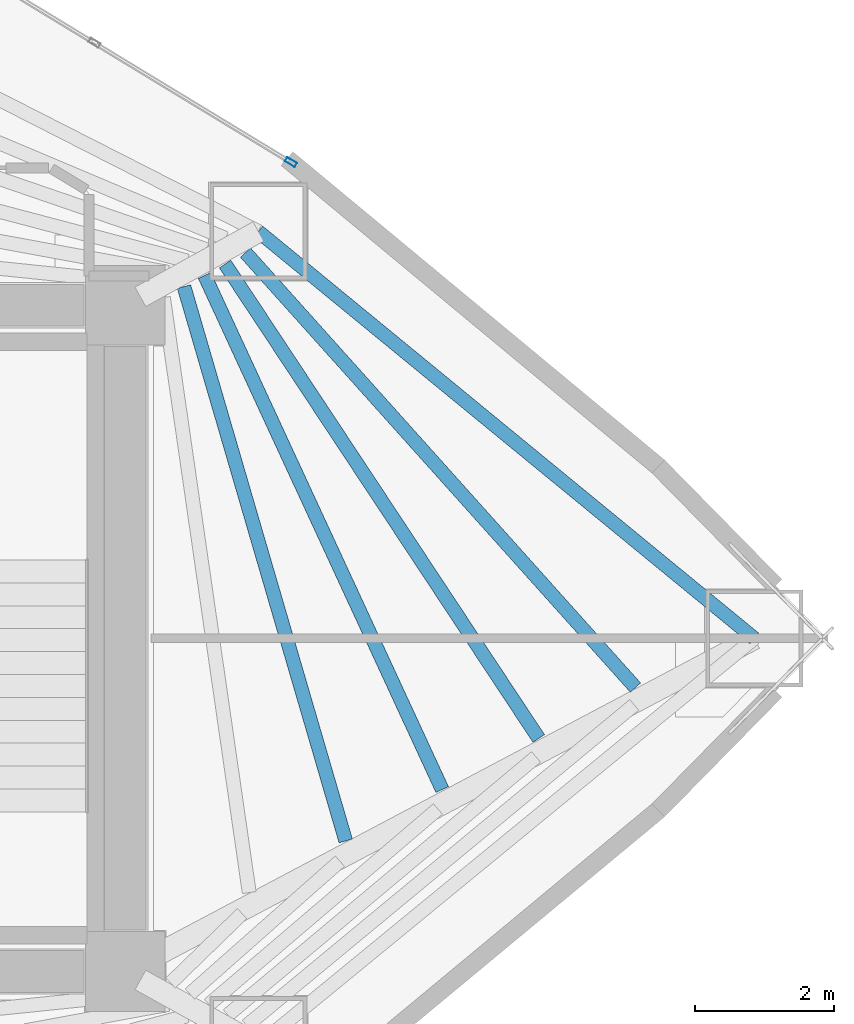
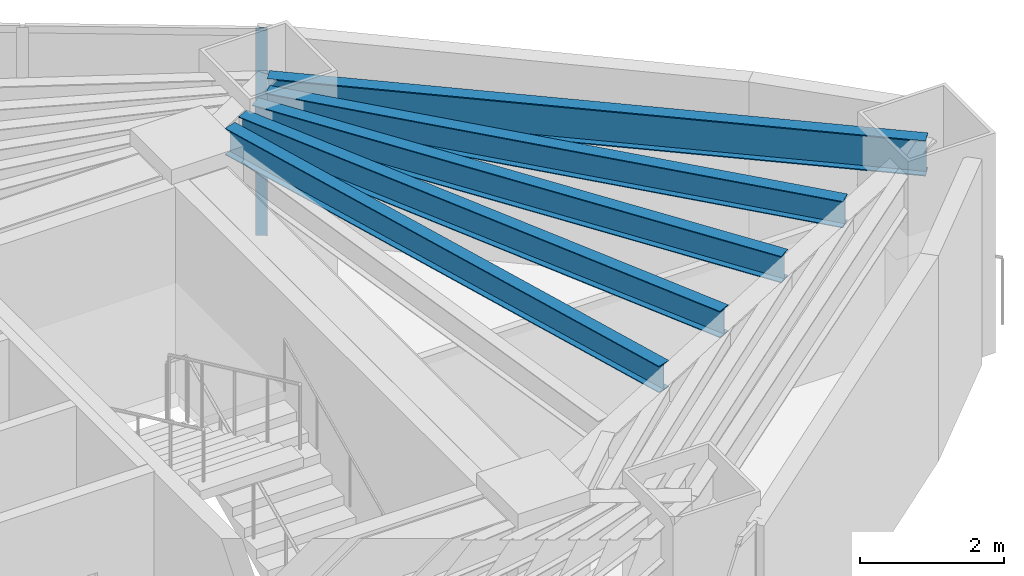
# One storey, part 11 of 18: 5 beams, 1 member, 1 element without a shape of its own.
"""IFC4 building model written with IfcOpenShell, lengths in metres."""

from ifc_helpers import new_model, si_unit, direction, frame, origin, origin_2d, place, context, subcontext, project, spatial, hollow_rectangle, i_section, extrude, material, layer, layer_set, material_profile, profile_set, type_object, element, aggregate, save


model = new_model("IFC4")

# Units and contexts
model_context = context("Model", 3, precision=1e-05, world=origin(), true_north=direction((0.0, 1.0)))
body_context = subcontext(model_context, "Body", "Model", "MODEL_VIEW")
ifc_project = project(units=[si_unit("LENGTHUNIT", "METRE"), si_unit("AREAUNIT", "SQUARE_METRE"), si_unit("VOLUMEUNIT", "CUBIC_METRE"), si_unit("PLANEANGLEUNIT", "RADIAN"), si_unit("MASSUNIT", "GRAM", prefix="KILO")], contexts=[model_context])

# Site, building, storey
site_placement = place(None, origin())
site = spatial("IfcSite", under=ifc_project, at=site_placement, CompositionType="ELEMENT")
building_placement = place(site_placement, origin())
building = spatial("IfcBuilding", under=site, at=building_placement, Name="Menara Vayukalpa", CompositionType="ELEMENT")
storey_placement = place(building_placement, frame((0.0, 0.0, 35.0400390625)))
storey = spatial("IfcBuildingStorey", under=building, at=storey_placement, Name="L07", CompositionType="ELEMENT", Elevation=35.0400390625)

# Beams
ifc_material_1 = material(Name="Steel S355", Category="steel")
ifc_material_profile_1 = material_profile(ifc_material_1, i_section(OverallWidth=0.199951171875, OverallDepth=0.449951171875, WebThickness=0.009033203125, FlangeThickness=0.013916015625, at=origin_2d()), Name="WF 450x200x9x14")
ifc_profile_set_1 = profile_set([ifc_material_profile_1], Name="Steel S355")
beam_type_1 = type_object("IfcBeamType", Name="BM-SJ1", PredefinedType="JOIST", material=ifc_profile_set_1)
beam_1_placement = place(storey_placement, frame((36.577392578125, 19.08203125, 3.244873046875), z_axis=(-0.280127331343, 0.959962852528, 0.0), x_axis=(-0.959962852528, -0.280127331343, 0.0)))
element("IfcBeam", 1, at=beam_1_placement, inside=storey, type_object=beam_type_1, Name="L07 Secondary Floor Joist SJ01-2", PredefinedType="JOIST", context=body_context, shape_type="SweptSolid", body=[
    extrude(i_section(OverallWidth=0.199951171875, OverallDepth=0.449951171875, WebThickness=0.009033203125, FlangeThickness=0.013916015625, at=origin_2d()), origin(), (0.0, 0.0, 1.0), 8.319580078125),
])
beam_2_placement = place(storey_placement, frame((37.96728515625, 19.822021484375, 3.244873046875), z_axis=(-0.419547647921, 0.907733314979, 0.0), x_axis=(-0.907733314979, -0.419547647921, 0.0)))
element("IfcBeam", 2, at=beam_2_placement, inside=storey, type_object=beam_type_1, Name="L07 Secondary Floor Joist SJ01-3", PredefinedType="JOIST", context=body_context, shape_type="SweptSolid", body=[
    extrude(i_section(OverallWidth=0.199951171875, OverallDepth=0.449951171875, WebThickness=0.009033203125, FlangeThickness=0.013916015625, at=origin_2d()), origin(), (0.0, 0.0, 1.0), 8.15966796875),
])
beam_3_placement = place(storey_placement, frame((39.358642578125, 20.557861328125, 3.244873046875), z_axis=(-0.551519467329, 0.834162020927, 0.0), x_axis=(-0.834162020927, -0.551519467329, 0.0)))
element("IfcBeam", 3, at=beam_3_placement, inside=storey, type_object=beam_type_1, Name="L07 Secondary Floor Joist SJ01-4", PredefinedType="JOIST", context=body_context, shape_type="SweptSolid", body=[
    extrude(i_section(OverallWidth=0.199951171875, OverallDepth=0.449951171875, WebThickness=0.009033203125, FlangeThickness=0.013916015625, at=origin_2d()), origin(), (0.0, 0.0, 1.0), 8.19384765625),
])
beam_4_placement = place(storey_placement, frame((40.752685546875, 21.291015625, 3.244873046875), z_axis=(-0.667563308959, 0.744553039435, 0.0), x_axis=(-0.744553039435, -0.667563308959, 0.0)))
element("IfcBeam", 4, at=beam_4_placement, inside=storey, type_object=beam_type_1, Name="L07 Secondary Floor Joist SJ01-5", PredefinedType="JOIST", context=body_context, shape_type="SweptSolid", body=[
    extrude(i_section(OverallWidth=0.199951171875, OverallDepth=0.449951171875, WebThickness=0.009033203125, FlangeThickness=0.013916015625, at=origin_2d()), origin(), (0.0, 0.0, 1.0), 8.419189453125),
])
ifc_material_2 = material(Name="Steel S355", Category="steel")
ifc_material_profile_2 = material_profile(ifc_material_2, i_section(OverallWidth=0.199951171875, OverallDepth=0.60009765625, WebThickness=0.010986328125, FlangeThickness=0.01708984375, at=origin_2d()), Name="WF 600x200x11x17")
ifc_profile_set_2 = profile_set([ifc_material_profile_2], Name="Steel S355")
beam_type_2 = type_object("IfcBeamType", Name="BM-SP1", PredefinedType="SPANDREL", material=ifc_profile_set_2)
beam_5_placement = place(storey_placement, frame((42.46484375, 22.0, 3.169921875), z_axis=(-0.773110561587, 0.63427128231, 0.0), x_axis=(-0.63427128231, -0.773110561587, 0.0)))
element("IfcBeam", 5, at=beam_5_placement, inside=storey, type_object=beam_type_2, Name="L07 Perimeter Spandrel Beam SP01", PredefinedType="SPANDREL", context=body_context, shape_type="SweptSolid", body=[
    extrude(i_section(OverallWidth=0.199951171875, OverallDepth=0.60009765625, WebThickness=0.010986328125, FlangeThickness=0.01708984375, at=origin_2d()), origin(), (0.0, 0.0, 1.0), 9.244140625),
])

# Curtain wall, member
ifc_material_3 = material(Name="Anodised Terracotta Aluminium Alloy 6063-T6", Category="masonry")
ifc_layer = layer(ifc_material_3, 0.1650390625)
ifc_layer_set = layer_set([ifc_layer], Name="Anodised Terracotta Aluminium Alloy 6063-T6")
curtain_wall_type = type_object("IfcCurtainWallType", Name="CW-CW2", PredefinedType="USERDEFINED", material=ifc_layer_set)
curtain_wall_placement = place(storey_placement, origin())
curtain_wall = element("IfcCurtainWall", 6, at=curtain_wall_placement, inside=storey, type_object=curtain_wall_type, Name="L07 Low Rise Terracotta Ribbon Curtain Wall CW2 04", ObjectType="UNITISED", PredefinedType="USERDEFINED")
ifc_material_4 = material(Name="Anodised Terracotta Aluminium Alloy 6063-T6", Category="masonry")
ifc_material_profile_3 = material_profile(ifc_material_4, hollow_rectangle(XDim=0.070068359375, YDim=0.1650390625, WallThickness=0.00390625, at=origin_2d()), Name="ALU 70x165x4")
ifc_profile_set_3 = profile_set([ifc_material_profile_3], Name="Anodised Terracotta Aluminium Alloy 6063-T6")
member_type = type_object("IfcMemberType", Name="CWM-CW2", PredefinedType="MULLION", material=ifc_profile_set_3)
member_placement = place(storey_placement, frame((35.787353515625, 28.861572265625, 0.0), z_axis=(0.0, 0.0, 1.0), x_axis=(-0.519181964377, -0.854663727945, 0.0)))
member = element("IfcMember", 7, at=member_placement, type_object=member_type, Name="CW2 mullion 1", PredefinedType="MULLION", context=body_context, shape_type="SweptSolid", body=[
    extrude(hollow_rectangle(XDim=0.070068359375, YDim=0.1650390625, WallThickness=0.00390625, at=origin_2d()), origin(), (0.0, 0.0, 1.0), 3.469970703125),
])
aggregate(curtain_wall, [member])

save(model, "model.ifc")
